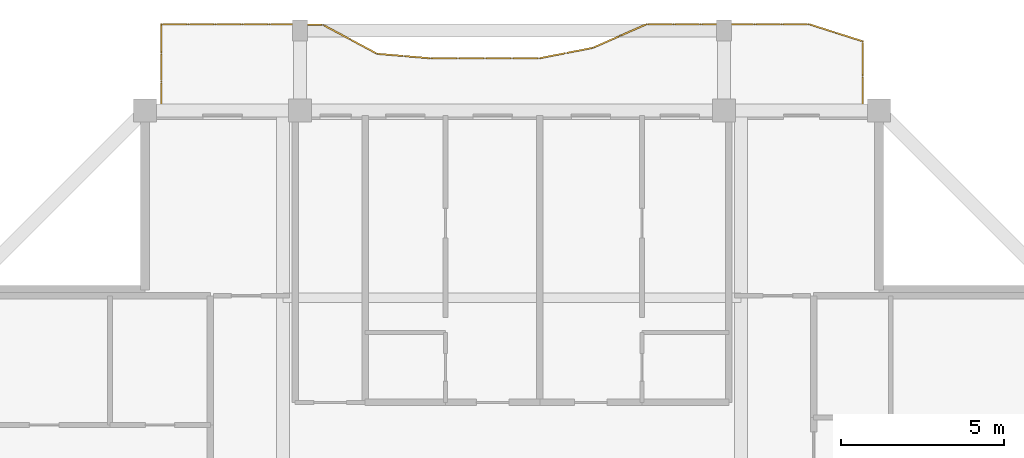
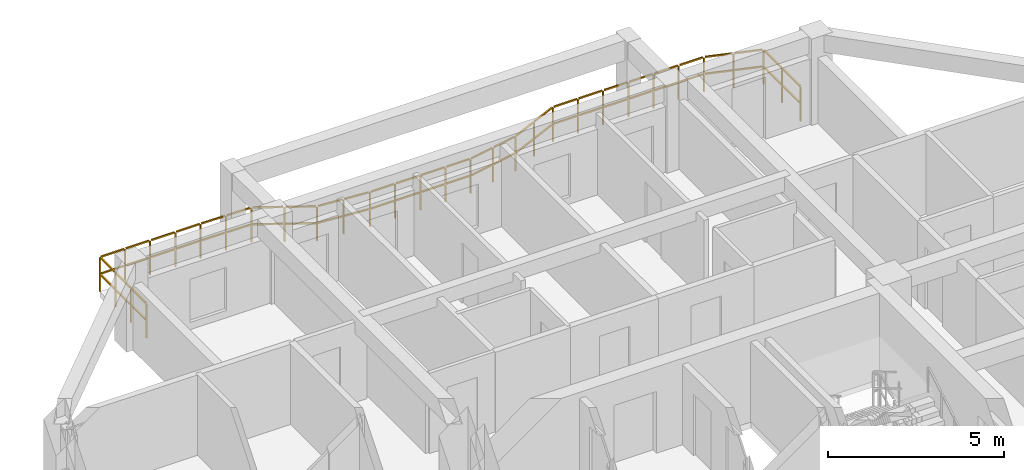
# One storey, part 13 of 13: 1 railing.
"""IFC4 building model written with IfcOpenShell, lengths in metres."""

from ifc_helpers import new_model, si_unit, direction, frame, origin, origin_2d, place, context, subcontext, project, spatial, rectangle, extrude, material, type_object, element, save


model = new_model("IFC4")

# Units and contexts
model_context = context("Model", 3, precision=1e-05, world=origin(), true_north=direction((0.0, 1.0)))
body_context = subcontext(model_context, "Body", "Model", "MODEL_VIEW")
ifc_project = project(units=[si_unit("LENGTHUNIT", "METRE"), si_unit("AREAUNIT", "SQUARE_METRE"), si_unit("VOLUMEUNIT", "CUBIC_METRE"), si_unit("PLANEANGLEUNIT", "RADIAN"), si_unit("MASSUNIT", "GRAM", prefix="KILO")], contexts=[model_context])

# Site, building, storey
site_placement = place(None, origin())
site = spatial("IfcSite", under=ifc_project, at=site_placement, CompositionType="ELEMENT")
building_placement = place(site_placement, origin())
building = spatial("IfcBuilding", under=site, at=building_placement, Name="Saelheon Loggia Tower", CompositionType="ELEMENT")
storey_placement = place(building_placement, frame((0.0, 0.0, 223.199951171875)))
storey = spatial("IfcBuildingStorey", under=building, at=storey_placement, Name="L69", CompositionType="ELEMENT", Elevation=223.199951171875)

# Railing
ifc_material = material(Name="Architectural Precast Concrete and Laminated Glass Guard", Category="concrete")
railing_type = type_object("IfcRailingType", Name="Guard_Loggia_RL_LOG", PredefinedType="BALUSTRADE", material=ifc_material)
railing_placement = place(storey_placement, frame((48.75, 48.0, 0.0)))
element("IfcRailing", 1, at=railing_placement, inside=storey, type_object=railing_type, Name="L69 North Loggia Balustrade", PredefinedType="BALUSTRADE", context=body_context, shape_type="SweptSolid", body=[
    extrude(rectangle(XDim=0.048095703125, YDim=0.048095703125, at=origin_2d()), frame((0.0, 0.033203125, 1.19580078125), z_axis=(0.0, 1.0, 0.0), x_axis=(-1.0, 0.0, 0.0)), (0.0, 0.0, 1.0), 0.994873046875),
    extrude(rectangle(XDim=0.048095703125, YDim=0.048095703125, at=origin_2d()), frame((0.0, 0.033203125, 0.60986328125), z_axis=(0.0, 1.0, 0.0), x_axis=(-1.0, 0.0, 0.0)), (0.0, 0.0, 1.0), 0.994873046875),
    extrude(rectangle(XDim=0.048095703125, YDim=0.048095703125, at=origin_2d()), frame((0.0, 1.0947265625, 1.19580078125), z_axis=(0.0, 1.0, 0.0), x_axis=(-1.0, 0.0, 0.0)), (0.0, 0.0, 1.0), 0.994873046875),
    extrude(rectangle(XDim=0.048095703125, YDim=0.048095703125, at=origin_2d()), frame((0.0, 1.0947265625, 0.60986328125), z_axis=(0.0, 1.0, 0.0), x_axis=(-1.0, 0.0, 0.0)), (0.0, 0.0, 1.0), 0.994873046875),
    extrude(rectangle(XDim=0.048095703125, YDim=0.048095703125, at=origin_2d()), frame((-0.03173828125, 2.1328125, 1.19580078125), z_axis=(-0.952777889679, 0.303668063746, 0.0), x_axis=(-0.303668063746, -0.952777889679, 0.0)), (0.0, 0.0, 1.0), 0.801513671875),
    extrude(rectangle(XDim=0.048095703125, YDim=0.048095703125, at=origin_2d()), frame((-0.03173828125, 2.1328125, 0.60986328125), z_axis=(-0.952777889679, 0.303668063746, 0.0), x_axis=(-0.303668063746, -0.952777889679, 0.0)), (0.0, 0.0, 1.0), 0.801513671875),
    extrude(rectangle(XDim=0.048095703125, YDim=0.048095703125, at=origin_2d()), frame((-0.858642578125, 2.396484375, 1.19580078125), z_axis=(-0.952777889679, 0.303668063746, 0.0), x_axis=(-0.303668063746, -0.952777889679, 0.0)), (0.0, 0.0, 1.0), 0.801513671875),
    extrude(rectangle(XDim=0.048095703125, YDim=0.048095703125, at=origin_2d()), frame((-0.858642578125, 2.396484375, 0.60986328125), z_axis=(-0.952777889679, 0.303668063746, 0.0), x_axis=(-0.303668063746, -0.952777889679, 0.0)), (0.0, 0.0, 1.0), 0.801513671875),
    extrude(rectangle(XDim=0.048095703125, YDim=0.048095703125, at=origin_2d()), frame((-1.68701171875, 2.64990234375, 1.19580078125), z_axis=(-1.0, 0.0, 0.0), x_axis=(0.0, -1.0, 0.0)), (0.0, 0.0, 1.0), 0.760498046875),
    extrude(rectangle(XDim=0.048095703125, YDim=0.048095703125, at=origin_2d()), frame((-1.68701171875, 2.64990234375, 0.60986328125), z_axis=(-1.0, 0.0, 0.0), x_axis=(0.0, -1.0, 0.0)), (0.0, 0.0, 1.0), 0.760498046875),
    extrude(rectangle(XDim=0.048095703125, YDim=0.048095703125, at=origin_2d()), frame((-2.513916015625, 2.64990234375, 1.19580078125), z_axis=(-1.0, 0.0, 0.0), x_axis=(0.0, -1.0, 0.0)), (0.0, 0.0, 1.0), 0.760498046875),
    extrude(rectangle(XDim=0.048095703125, YDim=0.048095703125, at=origin_2d()), frame((-2.513916015625, 2.64990234375, 0.60986328125), z_axis=(-1.0, 0.0, 0.0), x_axis=(0.0, -1.0, 0.0)), (0.0, 0.0, 1.0), 0.760498046875),
    extrude(rectangle(XDim=0.048095703125, YDim=0.048095703125, at=origin_2d()), frame((-3.3408203125, 2.64990234375, 1.19580078125), z_axis=(-1.0, 0.0, 0.0), x_axis=(0.0, -1.0, 0.0)), (0.0, 0.0, 1.0), 0.760498046875),
    extrude(rectangle(XDim=0.048095703125, YDim=0.048095703125, at=origin_2d()), frame((-3.3408203125, 2.64990234375, 0.60986328125), z_axis=(-1.0, 0.0, 0.0), x_axis=(0.0, -1.0, 0.0)), (0.0, 0.0, 1.0), 0.760498046875),
    extrude(rectangle(XDim=0.048095703125, YDim=0.048095703125, at=origin_2d()), frame((-4.167724609375, 2.64990234375, 1.19580078125), z_axis=(-1.0, 0.0, 0.0), x_axis=(0.0, -1.0, 0.0)), (0.0, 0.0, 1.0), 0.760498046875),
    extrude(rectangle(XDim=0.048095703125, YDim=0.048095703125, at=origin_2d()), frame((-4.167724609375, 2.64990234375, 0.60986328125), z_axis=(-1.0, 0.0, 0.0), x_axis=(0.0, -1.0, 0.0)), (0.0, 0.0, 1.0), 0.760498046875),
    extrude(rectangle(XDim=0.048095703125, YDim=0.048095703125, at=origin_2d()), frame((-4.99462890625, 2.64990234375, 1.19580078125), z_axis=(-1.0, 0.0, 0.0), x_axis=(0.0, -1.0, 0.0)), (0.0, 0.0, 1.0), 0.760498046875),
    extrude(rectangle(XDim=0.048095703125, YDim=0.048095703125, at=origin_2d()), frame((-4.99462890625, 2.64990234375, 0.60986328125), z_axis=(-1.0, 0.0, 0.0), x_axis=(0.0, -1.0, 0.0)), (0.0, 0.0, 1.0), 0.760498046875),
    extrude(rectangle(XDim=0.048095703125, YDim=0.048095703125, at=origin_2d()), frame((-5.82177734375, 2.64990234375, 1.19580078125), z_axis=(-1.0, 0.0, 0.0), x_axis=(0.0, -1.0, 0.0)), (0.0, 0.0, 1.0), 0.760498046875),
    extrude(rectangle(XDim=0.048095703125, YDim=0.048095703125, at=origin_2d()), frame((-5.82177734375, 2.64990234375, 0.60986328125), z_axis=(-1.0, 0.0, 0.0), x_axis=(0.0, -1.0, 0.0)), (0.0, 0.0, 1.0), 0.760498046875),
    extrude(rectangle(XDim=0.048095703125, YDim=0.048095703125, at=origin_2d()), frame((-6.64599609375, 2.636474609375, 1.19580078125), z_axis=(-0.915492302722, -0.402335486449, 0.0), x_axis=(0.402335486449, -0.915492302722, 0.0)), (0.0, 0.0, 1.0), 0.836669921875),
    extrude(rectangle(XDim=0.048095703125, YDim=0.048095703125, at=origin_2d()), frame((-6.64599609375, 2.636474609375, 0.60986328125), z_axis=(-0.915492302722, -0.402335486449, 0.0), x_axis=(0.402335486449, -0.915492302722, 0.0)), (0.0, 0.0, 1.0), 0.836669921875),
    extrude(rectangle(XDim=0.048095703125, YDim=0.048095703125, at=origin_2d()), frame((-7.472900390625, 2.273193359375, 1.19580078125), z_axis=(-0.915492302722, -0.402335486449, 0.0), x_axis=(0.402335486449, -0.915492302722, 0.0)), (0.0, 0.0, 1.0), 0.836669921875),
    extrude(rectangle(XDim=0.048095703125, YDim=0.048095703125, at=origin_2d()), frame((-7.472900390625, 2.273193359375, 0.60986328125), z_axis=(-0.915492302722, -0.402335486449, 0.0), x_axis=(0.402335486449, -0.915492302722, 0.0)), (0.0, 0.0, 1.0), 0.836669921875),
    extrude(rectangle(XDim=0.048095703125, YDim=0.048095703125, at=origin_2d()), frame((-8.302001953125, 1.916748046875, 1.19580078125), z_axis=(-0.981456700783, -0.191683970348, 0.0), x_axis=(0.191683970348, -0.981456700783, 0.0)), (0.0, 0.0, 1.0), 0.776123046875),
    extrude(rectangle(XDim=0.048095703125, YDim=0.048095703125, at=origin_2d()), frame((-8.302001953125, 1.916748046875, 0.60986328125), z_axis=(-0.981456700783, -0.191683970348, 0.0), x_axis=(0.191683970348, -0.981456700783, 0.0)), (0.0, 0.0, 1.0), 0.776123046875),
    extrude(rectangle(XDim=0.048095703125, YDim=0.048095703125, at=origin_2d()), frame((-9.12890625, 1.755126953125, 1.19580078125), z_axis=(-0.981456700783, -0.191683970348, 0.0), x_axis=(0.191683970348, -0.981456700783, 0.0)), (0.0, 0.0, 1.0), 0.776123046875),
    extrude(rectangle(XDim=0.048095703125, YDim=0.048095703125, at=origin_2d()), frame((-9.12890625, 1.755126953125, 0.60986328125), z_axis=(-0.981456700783, -0.191683970348, 0.0), x_axis=(0.191683970348, -0.981456700783, 0.0)), (0.0, 0.0, 1.0), 0.776123046875),
    extrude(rectangle(XDim=0.048095703125, YDim=0.048095703125, at=origin_2d()), frame((-9.956298828125, 1.60009765625, 1.19580078125), z_axis=(-1.0, 0.0, 0.0), x_axis=(0.0, -1.0, 0.0)), (0.0, 0.0, 1.0), 0.760498046875),
    extrude(rectangle(XDim=0.048095703125, YDim=0.048095703125, at=origin_2d()), frame((-9.956298828125, 1.60009765625, 0.60986328125), z_axis=(-1.0, 0.0, 0.0), x_axis=(0.0, -1.0, 0.0)), (0.0, 0.0, 1.0), 0.760498046875),
    extrude(rectangle(XDim=0.048095703125, YDim=0.048095703125, at=origin_2d()), frame((-10.783203125, 1.60009765625, 1.19580078125), z_axis=(-1.0, 0.0, 0.0), x_axis=(0.0, -1.0, 0.0)), (0.0, 0.0, 1.0), 0.760498046875),
    extrude(rectangle(XDim=0.048095703125, YDim=0.048095703125, at=origin_2d()), frame((-10.783203125, 1.60009765625, 0.60986328125), z_axis=(-1.0, 0.0, 0.0), x_axis=(0.0, -1.0, 0.0)), (0.0, 0.0, 1.0), 0.760498046875),
    extrude(rectangle(XDim=0.048095703125, YDim=0.048095703125, at=origin_2d()), frame((-11.610107421875, 1.60009765625, 1.19580078125), z_axis=(-1.0, 0.0, 0.0), x_axis=(0.0, -1.0, 0.0)), (0.0, 0.0, 1.0), 0.760498046875),
    extrude(rectangle(XDim=0.048095703125, YDim=0.048095703125, at=origin_2d()), frame((-11.610107421875, 1.60009765625, 0.60986328125), z_axis=(-1.0, 0.0, 0.0), x_axis=(0.0, -1.0, 0.0)), (0.0, 0.0, 1.0), 0.760498046875),
    extrude(rectangle(XDim=0.048095703125, YDim=0.048095703125, at=origin_2d()), frame((-12.43701171875, 1.60009765625, 1.19580078125), z_axis=(-1.0, 0.0, 0.0), x_axis=(0.0, -1.0, 0.0)), (0.0, 0.0, 1.0), 0.760498046875),
    extrude(rectangle(XDim=0.048095703125, YDim=0.048095703125, at=origin_2d()), frame((-12.43701171875, 1.60009765625, 0.60986328125), z_axis=(-1.0, 0.0, 0.0), x_axis=(0.0, -1.0, 0.0)), (0.0, 0.0, 1.0), 0.760498046875),
    extrude(rectangle(XDim=0.048095703125, YDim=0.048095703125, at=origin_2d()), frame((-13.263916015625, 1.60302734375, 1.19580078125), z_axis=(-0.996416757966, 0.084579219934, 0.0), x_axis=(-0.084579219934, -0.996416757966, 0.0)), (0.0, 0.0, 1.0), 0.763427734375),
    extrude(rectangle(XDim=0.048095703125, YDim=0.048095703125, at=origin_2d()), frame((-13.263916015625, 1.60302734375, 0.60986328125), z_axis=(-0.996416757966, 0.084579219934, 0.0), x_axis=(-0.084579219934, -0.996416757966, 0.0)), (0.0, 0.0, 1.0), 0.763427734375),
    extrude(rectangle(XDim=0.048095703125, YDim=0.048095703125, at=origin_2d()), frame((-14.0908203125, 1.673095703125, 1.19580078125), z_axis=(-0.996416757966, 0.084579219934, 0.0), x_axis=(-0.084579219934, -0.996416757966, 0.0)), (0.0, 0.0, 1.0), 0.763427734375),
    extrude(rectangle(XDim=0.048095703125, YDim=0.048095703125, at=origin_2d()), frame((-14.0908203125, 1.673095703125, 0.60986328125), z_axis=(-0.996416757966, 0.084579219934, 0.0), x_axis=(-0.084579219934, -0.996416757966, 0.0)), (0.0, 0.0, 1.0), 0.763427734375),
    extrude(rectangle(XDim=0.048095703125, YDim=0.048095703125, at=origin_2d()), frame((-14.913818359375, 1.756103515625, 1.19580078125), z_axis=(-0.882316888407, 0.470655828001, 0.0), x_axis=(-0.470655828001, -0.882316888407, 0.0)), (0.0, 0.0, 1.0), 0.870849609375),
    extrude(rectangle(XDim=0.048095703125, YDim=0.048095703125, at=origin_2d()), frame((-14.913818359375, 1.756103515625, 0.60986328125), z_axis=(-0.882316888407, 0.470655828001, 0.0), x_axis=(-0.470655828001, -0.882316888407, 0.0)), (0.0, 0.0, 1.0), 0.870849609375),
    extrude(rectangle(XDim=0.048095703125, YDim=0.048095703125, at=origin_2d()), frame((-15.740966796875, 2.197265625, 1.19580078125), z_axis=(-0.882316888407, 0.470655828001, 0.0), x_axis=(-0.470655828001, -0.882316888407, 0.0)), (0.0, 0.0, 1.0), 0.870849609375),
    extrude(rectangle(XDim=0.048095703125, YDim=0.048095703125, at=origin_2d()), frame((-15.740966796875, 2.197265625, 0.60986328125), z_axis=(-0.882316888407, 0.470655828001, 0.0), x_axis=(-0.470655828001, -0.882316888407, 0.0)), (0.0, 0.0, 1.0), 0.870849609375),
    extrude(rectangle(XDim=0.048095703125, YDim=0.048095703125, at=origin_2d()), frame((-16.57177734375, 2.623291015625, 1.19580078125), z_axis=(-0.999865773542, 0.016383983003, 0.0), x_axis=(-0.016383983003, -0.999865773542, 0.0)), (0.0, 0.0, 1.0), 0.760498046875),
    extrude(rectangle(XDim=0.048095703125, YDim=0.048095703125, at=origin_2d()), frame((-16.57177734375, 2.623291015625, 0.60986328125), z_axis=(-0.999865773542, 0.016383983003, 0.0), x_axis=(-0.016383983003, -0.999865773542, 0.0)), (0.0, 0.0, 1.0), 0.760498046875),
    extrude(rectangle(XDim=0.048095703125, YDim=0.048095703125, at=origin_2d()), frame((-17.398681640625, 2.636962890625, 1.19580078125), z_axis=(-0.999865773542, 0.016383983003, 0.0), x_axis=(-0.016383983003, -0.999865773542, 0.0)), (0.0, 0.0, 1.0), 0.760498046875),
    extrude(rectangle(XDim=0.048095703125, YDim=0.048095703125, at=origin_2d()), frame((-17.398681640625, 2.636962890625, 0.60986328125), z_axis=(-0.999865773542, 0.016383983003, 0.0), x_axis=(-0.016383983003, -0.999865773542, 0.0)), (0.0, 0.0, 1.0), 0.760498046875),
    extrude(rectangle(XDim=0.048095703125, YDim=0.048095703125, at=origin_2d()), frame((-18.2255859375, 2.64990234375, 1.19580078125), z_axis=(-1.0, 0.0, 0.0), x_axis=(0.0, -1.0, 0.0)), (0.0, 0.0, 1.0), 0.760498046875),
    extrude(rectangle(XDim=0.048095703125, YDim=0.048095703125, at=origin_2d()), frame((-18.2255859375, 2.64990234375, 0.60986328125), z_axis=(-1.0, 0.0, 0.0), x_axis=(0.0, -1.0, 0.0)), (0.0, 0.0, 1.0), 0.760498046875),
    extrude(rectangle(XDim=0.048095703125, YDim=0.048095703125, at=origin_2d()), frame((-19.052490234375, 2.64990234375, 1.19580078125), z_axis=(-1.0, 0.0, 0.0), x_axis=(0.0, -1.0, 0.0)), (0.0, 0.0, 1.0), 0.760498046875),
    extrude(rectangle(XDim=0.048095703125, YDim=0.048095703125, at=origin_2d()), frame((-19.052490234375, 2.64990234375, 0.60986328125), z_axis=(-1.0, 0.0, 0.0), x_axis=(0.0, -1.0, 0.0)), (0.0, 0.0, 1.0), 0.760498046875),
    extrude(rectangle(XDim=0.048095703125, YDim=0.048095703125, at=origin_2d()), frame((-19.87939453125, 2.64990234375, 1.19580078125), z_axis=(-1.0, 0.0, 0.0), x_axis=(0.0, -1.0, 0.0)), (0.0, 0.0, 1.0), 0.760498046875),
    extrude(rectangle(XDim=0.048095703125, YDim=0.048095703125, at=origin_2d()), frame((-19.87939453125, 2.64990234375, 0.60986328125), z_axis=(-1.0, 0.0, 0.0), x_axis=(0.0, -1.0, 0.0)), (0.0, 0.0, 1.0), 0.760498046875),
    extrude(rectangle(XDim=0.048095703125, YDim=0.048095703125, at=origin_2d()), frame((-20.706298828125, 2.64990234375, 1.19580078125), z_axis=(-1.0, 0.0, 0.0), x_axis=(0.0, -1.0, 0.0)), (0.0, 0.0, 1.0), 0.760498046875),
    extrude(rectangle(XDim=0.048095703125, YDim=0.048095703125, at=origin_2d()), frame((-20.706298828125, 2.64990234375, 0.60986328125), z_axis=(-1.0, 0.0, 0.0), x_axis=(0.0, -1.0, 0.0)), (0.0, 0.0, 1.0), 0.760498046875),
    extrude(rectangle(XDim=0.048095703125, YDim=0.048095703125, at=origin_2d()), frame((-21.5, 2.61669921875, 1.19580078125), z_axis=(0.0, -1.0, 0.0), x_axis=(1.0, 0.0, 0.0)), (0.0, 0.0, 1.0), 0.81689453125),
    extrude(rectangle(XDim=0.048095703125, YDim=0.048095703125, at=origin_2d()), frame((-21.5, 2.61669921875, 0.60986328125), z_axis=(0.0, -1.0, 0.0), x_axis=(1.0, 0.0, 0.0)), (0.0, 0.0, 1.0), 0.81689453125),
    extrude(rectangle(XDim=0.048095703125, YDim=0.048095703125, at=origin_2d()), frame((-21.5, 1.7333984375, 1.19580078125), z_axis=(0.0, -1.0, 0.0), x_axis=(1.0, 0.0, 0.0)), (0.0, 0.0, 1.0), 0.81689453125),
    extrude(rectangle(XDim=0.048095703125, YDim=0.048095703125, at=origin_2d()), frame((-21.5, 1.7333984375, 0.60986328125), z_axis=(0.0, -1.0, 0.0), x_axis=(1.0, 0.0, 0.0)), (0.0, 0.0, 1.0), 0.81689453125),
    extrude(rectangle(XDim=0.048095703125, YDim=0.048095703125, at=origin_2d()), frame((-21.5, 0.85009765625, 1.19580078125), z_axis=(0.0, -1.0, 0.0), x_axis=(1.0, 0.0, 0.0)), (0.0, 0.0, 1.0), 0.81689453125),
    extrude(rectangle(XDim=0.048095703125, YDim=0.048095703125, at=origin_2d()), frame((-21.5, 0.85009765625, 0.60986328125), z_axis=(0.0, -1.0, 0.0), x_axis=(1.0, 0.0, 0.0)), (0.0, 0.0, 1.0), 0.81689453125),
    extrude(rectangle(XDim=0.0419921875, YDim=0.0419921875, at=origin_2d()), origin(), (0.0, 0.0, 1.0), 1.16796875),
    extrude(rectangle(XDim=0.0419921875, YDim=0.0419921875, at=origin_2d()), frame((0.0, 1.0615234375, 0.0)), (0.0, 0.0, 1.0), 1.16796875),
    extrude(rectangle(XDim=0.0419921875, YDim=0.0419921875, at=origin_2d()), frame((0.0, 2.122802734375, 0.0)), (0.0, 0.0, 1.0), 1.16796875),
    extrude(rectangle(XDim=0.0419921875, YDim=0.0419921875, at=origin_2d()), frame((-0.826904296875, 2.38623046875, 0.0)), (0.0, 0.0, 1.0), 1.16796875),
    extrude(rectangle(XDim=0.0419921875, YDim=0.0419921875, at=origin_2d()), frame((-1.65380859375, 2.64990234375, 0.0)), (0.0, 0.0, 1.0), 1.16796875),
    extrude(rectangle(XDim=0.0419921875, YDim=0.0419921875, at=origin_2d()), frame((-2.480712890625, 2.64990234375, 0.0)), (0.0, 0.0, 1.0), 1.16796875),
    extrude(rectangle(XDim=0.0419921875, YDim=0.0419921875, at=origin_2d()), frame((-3.3076171875, 2.64990234375, 0.0)), (0.0, 0.0, 1.0), 1.16796875),
    extrude(rectangle(XDim=0.0419921875, YDim=0.0419921875, at=origin_2d()), frame((-4.134521484375, 2.64990234375, 0.0)), (0.0, 0.0, 1.0), 1.16796875),
    extrude(rectangle(XDim=0.0419921875, YDim=0.0419921875, at=origin_2d()), frame((-4.96142578125, 2.64990234375, 0.0)), (0.0, 0.0, 1.0), 1.16796875),
    extrude(rectangle(XDim=0.0419921875, YDim=0.0419921875, at=origin_2d()), frame((-5.78857421875, 2.64990234375, 0.0)), (0.0, 0.0, 1.0), 1.16796875),
    extrude(rectangle(XDim=0.0419921875, YDim=0.0419921875, at=origin_2d()), frame((-6.615478515625, 2.64990234375, 0.0)), (0.0, 0.0, 1.0), 1.16796875),
    extrude(rectangle(XDim=0.0419921875, YDim=0.0419921875, at=origin_2d()), frame((-7.4423828125, 2.28662109375, 0.0)), (0.0, 0.0, 1.0), 1.16796875),
    extrude(rectangle(XDim=0.0419921875, YDim=0.0419921875, at=origin_2d()), frame((-8.269287109375, 1.923095703125, 0.0)), (0.0, 0.0, 1.0), 1.16796875),
    extrude(rectangle(XDim=0.0419921875, YDim=0.0419921875, at=origin_2d()), frame((-9.09619140625, 1.76171875, 0.0)), (0.0, 0.0, 1.0), 1.16796875),
    extrude(rectangle(XDim=0.0419921875, YDim=0.0419921875, at=origin_2d()), frame((-9.923095703125, 1.60009765625, 0.0)), (0.0, 0.0, 1.0), 1.16796875),
    extrude(rectangle(XDim=0.0419921875, YDim=0.0419921875, at=origin_2d()), frame((-10.75, 1.60009765625, 0.0)), (0.0, 0.0, 1.0), 1.16796875),
    extrude(rectangle(XDim=0.0419921875, YDim=0.0419921875, at=origin_2d()), frame((-11.576904296875, 1.60009765625, 0.0)), (0.0, 0.0, 1.0), 1.16796875),
    extrude(rectangle(XDim=0.0419921875, YDim=0.0419921875, at=origin_2d()), frame((-12.40380859375, 1.60009765625, 0.0)), (0.0, 0.0, 1.0), 1.16796875),
    extrude(rectangle(XDim=0.0419921875, YDim=0.0419921875, at=origin_2d()), frame((-13.230712890625, 1.60009765625, 0.0)), (0.0, 0.0, 1.0), 1.16796875),
    extrude(rectangle(XDim=0.0419921875, YDim=0.0419921875, at=origin_2d()), frame((-14.0576171875, 1.67041015625, 0.0)), (0.0, 0.0, 1.0), 1.16796875),
    extrude(rectangle(XDim=0.0419921875, YDim=0.0419921875, at=origin_2d()), frame((-14.884521484375, 1.740478515625, 0.0)), (0.0, 0.0, 1.0), 1.16796875),
    extrude(rectangle(XDim=0.0419921875, YDim=0.0419921875, at=origin_2d()), frame((-15.71142578125, 2.181640625, 0.0)), (0.0, 0.0, 1.0), 1.16796875),
    extrude(rectangle(XDim=0.0419921875, YDim=0.0419921875, at=origin_2d()), frame((-16.53857421875, 2.622802734375, 0.0)), (0.0, 0.0, 1.0), 1.16796875),
    extrude(rectangle(XDim=0.0419921875, YDim=0.0419921875, at=origin_2d()), frame((-17.365478515625, 2.63623046875, 0.0)), (0.0, 0.0, 1.0), 1.16796875),
    extrude(rectangle(XDim=0.0419921875, YDim=0.0419921875, at=origin_2d()), frame((-18.1923828125, 2.64990234375, 0.0)), (0.0, 0.0, 1.0), 1.16796875),
    extrude(rectangle(XDim=0.0419921875, YDim=0.0419921875, at=origin_2d()), frame((-19.019287109375, 2.64990234375, 0.0)), (0.0, 0.0, 1.0), 1.16796875),
    extrude(rectangle(XDim=0.0419921875, YDim=0.0419921875, at=origin_2d()), frame((-19.84619140625, 2.64990234375, 0.0)), (0.0, 0.0, 1.0), 1.16796875),
    extrude(rectangle(XDim=0.0419921875, YDim=0.0419921875, at=origin_2d()), frame((-20.673095703125, 2.64990234375, 0.0)), (0.0, 0.0, 1.0), 1.16796875),
    extrude(rectangle(XDim=0.0419921875, YDim=0.0419921875, at=origin_2d()), frame((-21.5, 2.64990234375, 0.0)), (0.0, 0.0, 1.0), 1.16796875),
    extrude(rectangle(XDim=0.0419921875, YDim=0.0419921875, at=origin_2d()), frame((-21.5, 1.7666015625, 0.0)), (0.0, 0.0, 1.0), 1.16796875),
    extrude(rectangle(XDim=0.0419921875, YDim=0.0419921875, at=origin_2d()), frame((-21.5, 0.88330078125, 0.0)), (0.0, 0.0, 1.0), 1.16796875),
    extrude(rectangle(XDim=0.0419921875, YDim=0.0419921875, at=origin_2d()), frame((-21.5, 0.0, 0.0)), (0.0, 0.0, 1.0), 1.16796875),
])

save(model, "model.ifc")
